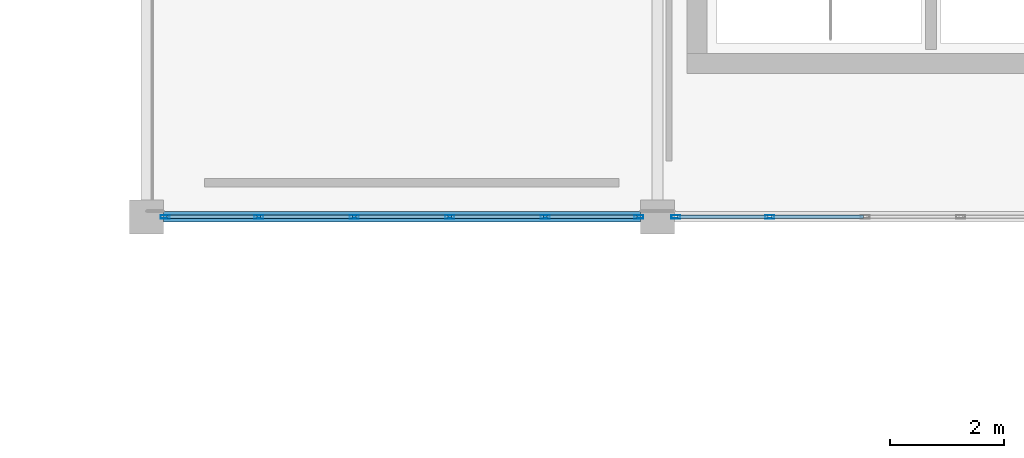
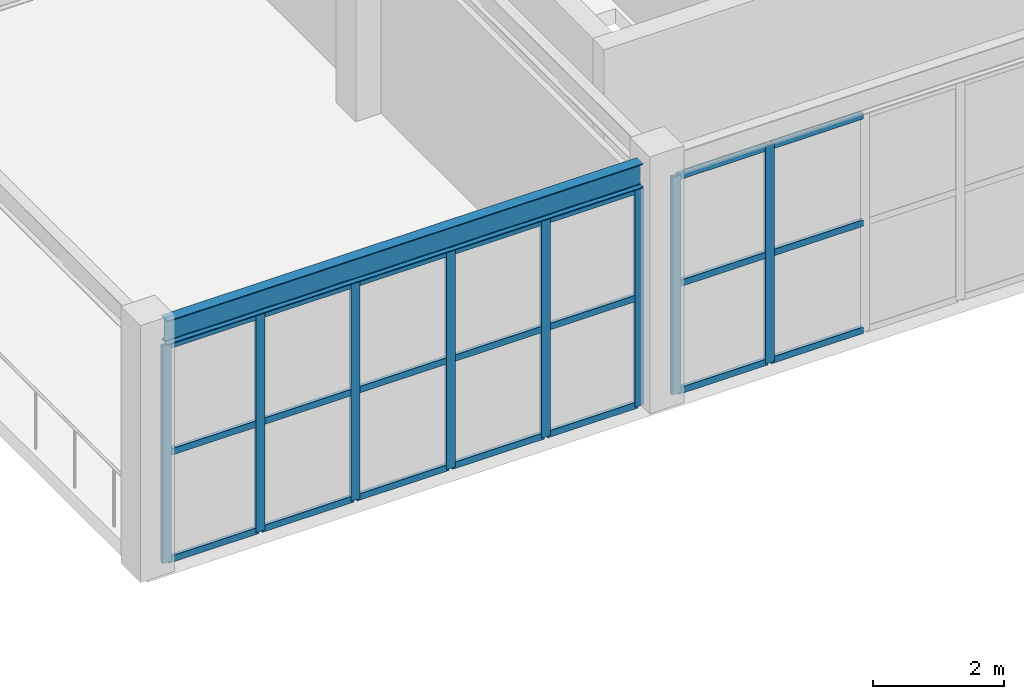
# One storey, part 96 of 167: 29 members, 1 beam, 2 elements without a shape of their own.
"""IFC4 building model written with IfcOpenShell, lengths in metres."""

from ifc_helpers import new_model, si_unit, direction, frame, origin, origin_2d, place, context, subcontext, project, spatial, hollow_rectangle, i_section, extrude, material, layer, layer_set, material_profile, profile_set, type_object, element, aggregate, save


model = new_model("IFC4")

# Units and contexts
model_context = context("Model", 3, precision=1e-05, world=origin(), true_north=direction((0.0, 1.0)))
body_context = subcontext(model_context, "Body", "Model", "MODEL_VIEW")
ifc_project = project(units=[si_unit("LENGTHUNIT", "METRE"), si_unit("AREAUNIT", "SQUARE_METRE"), si_unit("VOLUMEUNIT", "CUBIC_METRE"), si_unit("PLANEANGLEUNIT", "RADIAN"), si_unit("MASSUNIT", "GRAM", prefix="KILO")], contexts=[model_context])

# Site, building, storey
site_placement = place(None, origin())
site = spatial("IfcSite", under=ifc_project, at=site_placement, CompositionType="ELEMENT")
building_placement = place(site_placement, origin())
building = spatial("IfcBuilding", under=site, at=building_placement, Name="Dornveld Trade and Exhibition Forum", CompositionType="ELEMENT")
storey_placement = place(building_placement, frame((0.0, 0.0, 16.800048828125)))
storey = spatial("IfcBuildingStorey", under=building, at=storey_placement, Name="L03", CompositionType="ELEMENT", Elevation=16.800048828125)

# Beam
ifc_material_1 = material(Name="Steel S355J2", Category="steel")
ifc_material_profile_1 = material_profile(ifc_material_1, i_section(OverallWidth=0.18994140625, OverallDepth=0.449951171875, WebThickness=0.009521484375, FlangeThickness=0.0146484375, FilletRadius=0.02099609375, at=origin_2d()), Name="IPE 450")
ifc_profile_set_1 = profile_set([ifc_material_profile_1], Name="Steel S355J2")
beam_type = type_object("IfcBeamType", Name="BM-SEC-450", PredefinedType="BEAM", material=ifc_profile_set_1)
beam_placement = place(storey_placement, frame((171.2958984375, 108.0, 4.324951171875), z_axis=(1.0, 0.0, 0.0), x_axis=(0.0, 1.0, 0.0)))
element("IfcBeam", 1, at=beam_placement, inside=storey, type_object=beam_type, Name="L03 X-girder 1635", PredefinedType="BEAM", context=body_context, shape_type="SweptSolid", body=[
    extrude(i_section(OverallWidth=0.18994140625, OverallDepth=0.449951171875, WebThickness=0.009521484375, FlangeThickness=0.0146484375, FilletRadius=0.02099609375, at=origin_2d()), origin(), (0.0, 0.0, 1.0), 8.408203125),
])

# Curtain wall, members
ifc_material_2 = material(Name="Dark-bronze anodised aluminium and low-E glass", Category="aluminium")
ifc_layer_1 = layer(ifc_material_2, 0.175048828125)
ifc_layer_set_1 = layer_set([ifc_layer_1], Name="Dark-bronze anodised aluminium and low-E glass")
curtain_wall_type_1 = type_object("IfcCurtainWallType", Name="CW-SYS-11", PredefinedType="USERDEFINED", material=ifc_layer_set_1)
curtain_wall_1_placement = place(storey_placement, origin())
curtain_wall_1 = element("IfcCurtainWall", 2, at=curtain_wall_1_placement, inside=storey, type_object=curtain_wall_type_1, Name="L03 unitised curtain wall 119", ObjectType="UNITISED_CURTAIN_WALL", PredefinedType="USERDEFINED")
ifc_material_3 = material(Name="Dark-bronze anodised aluminium", Category="aluminium")
ifc_material_profile_2 = material_profile(ifc_material_3, hollow_rectangle(XDim=0.06005859375, YDim=0.159912109375, WallThickness=0.00390625, at=origin_2d()), Name="RHS 160x60x4")
ifc_profile_set_2 = profile_set([ifc_material_profile_2], Name="Dark-bronze anodised aluminium")
member_type_1 = type_object("IfcMemberType", Name="CW-MUL-160", PredefinedType="MULLION", material=ifc_profile_set_2)
member_1_placement = place(storey_placement, frame((171.325927734375, 108.0, -0.004150390625), z_axis=(0.0, 0.0, 1.0), x_axis=(0.0, 1.0, 0.0)))
member_1 = element("IfcMember", 3, at=member_1_placement, type_object=member_type_1, Name="CW-11 mullion 1", PredefinedType="MULLION", context=body_context, shape_type="SweptSolid", body=[
    extrude(hollow_rectangle(XDim=0.06005859375, YDim=0.159912109375, WallThickness=0.00390625, at=origin_2d()), origin(), (0.0, 0.0, 1.0), 4.064208984375),
])
member_2_placement = place(storey_placement, frame((172.9775390625, 108.0, -0.004150390625), z_axis=(0.0, 0.0, 1.0), x_axis=(0.0, 1.0, 0.0)))
member_2 = element("IfcMember", 4, at=member_2_placement, type_object=member_type_1, Name="CW-11 mullion 2", PredefinedType="MULLION", context=body_context, shape_type="SweptSolid", body=[
    extrude(hollow_rectangle(XDim=0.06005859375, YDim=0.159912109375, WallThickness=0.00390625, at=origin_2d()), origin(), (0.0, 0.0, 1.0), 4.064208984375),
])
member_3_placement = place(storey_placement, frame((174.6591796875, 108.0, -0.004150390625), z_axis=(0.0, 0.0, 1.0), x_axis=(0.0, 1.0, 0.0)))
member_3 = element("IfcMember", 5, at=member_3_placement, type_object=member_type_1, Name="CW-11 mullion 3", PredefinedType="MULLION", context=body_context, shape_type="SweptSolid", body=[
    extrude(hollow_rectangle(XDim=0.06005859375, YDim=0.159912109375, WallThickness=0.00390625, at=origin_2d()), origin(), (0.0, 0.0, 1.0), 4.064208984375),
])
member_4_placement = place(storey_placement, frame((176.3408203125, 108.0, -0.004150390625), z_axis=(0.0, 0.0, 1.0), x_axis=(0.0, 1.0, 0.0)))
member_4 = element("IfcMember", 6, at=member_4_placement, type_object=member_type_1, Name="CW-11 mullion 4", PredefinedType="MULLION", context=body_context, shape_type="SweptSolid", body=[
    extrude(hollow_rectangle(XDim=0.06005859375, YDim=0.159912109375, WallThickness=0.00390625, at=origin_2d()), origin(), (0.0, 0.0, 1.0), 4.064208984375),
])
member_5_placement = place(storey_placement, frame((178.0224609375, 108.0, -0.004150390625), z_axis=(0.0, 0.0, 1.0), x_axis=(0.0, 1.0, 0.0)))
member_5 = element("IfcMember", 7, at=member_5_placement, type_object=member_type_1, Name="CW-11 mullion 5", PredefinedType="MULLION", context=body_context, shape_type="SweptSolid", body=[
    extrude(hollow_rectangle(XDim=0.06005859375, YDim=0.159912109375, WallThickness=0.00390625, at=origin_2d()), origin(), (0.0, 0.0, 1.0), 4.064208984375),
])
member_6_placement = place(storey_placement, frame((179.674072265625, 108.0, -0.004150390625), z_axis=(0.0, 0.0, 1.0), x_axis=(0.0, 1.0, 0.0)))
member_6 = element("IfcMember", 8, at=member_6_placement, type_object=member_type_1, Name="CW-11 mullion 6", PredefinedType="MULLION", context=body_context, shape_type="SweptSolid", body=[
    extrude(hollow_rectangle(XDim=0.06005859375, YDim=0.159912109375, WallThickness=0.00390625, at=origin_2d()), origin(), (0.0, 0.0, 1.0), 4.064208984375),
])

ifc_material_4 = material(Name="Dark-bronze anodised aluminium and low-E glass", Category="aluminium")
ifc_layer_2 = layer(ifc_material_4, 0.177978515625)
ifc_layer_set_2 = layer_set([ifc_layer_2], Name="Dark-bronze anodised aluminium and low-E glass")
curtain_wall_type_2 = type_object("IfcCurtainWallType", Name="CW-SYS-12", PredefinedType="USERDEFINED", material=ifc_layer_set_2)
curtain_wall_2_placement = place(storey_placement, origin())
curtain_wall_2 = element("IfcCurtainWall", 9, at=curtain_wall_2_placement, inside=storey, type_object=curtain_wall_type_2, Name="L03 unitised curtain wall 120", ObjectType="UNITISED_CURTAIN_WALL", PredefinedType="USERDEFINED")
member_7_placement = place(storey_placement, frame((180.325927734375, 108.0, -0.004150390625), z_axis=(0.0, 0.0, 1.0), x_axis=(0.0, 1.0, 0.0)))
member_7 = element("IfcMember", 10, at=member_7_placement, type_object=member_type_1, Name="CW-12 mullion 1", PredefinedType="MULLION", context=body_context, shape_type="SweptSolid", body=[
    extrude(hollow_rectangle(XDim=0.06005859375, YDim=0.159912109375, WallThickness=0.00390625, at=origin_2d()), origin(), (0.0, 0.0, 1.0), 4.064208984375),
])
member_8_placement = place(storey_placement, frame((181.9775390625, 108.0, -0.004150390625), z_axis=(0.0, 0.0, 1.0), x_axis=(0.0, 1.0, 0.0)))
member_8 = element("IfcMember", 11, at=member_8_placement, type_object=member_type_1, Name="CW-12 mullion 2", PredefinedType="MULLION", context=body_context, shape_type="SweptSolid", body=[
    extrude(hollow_rectangle(XDim=0.06005859375, YDim=0.159912109375, WallThickness=0.00390625, at=origin_2d()), origin(), (0.0, 0.0, 1.0), 4.064208984375),
])

# Member
ifc_material_5 = material(Name="Dark-bronze anodised aluminium", Category="aluminium")
ifc_material_profile_3 = material_profile(ifc_material_5, hollow_rectangle(XDim=0.06005859375, YDim=0.1201171875, WallThickness=0.00390625, at=origin_2d()), Name="RHS 120x60x4")
ifc_profile_set_3 = profile_set([ifc_material_profile_3], Name="Dark-bronze anodised aluminium")
member_type_2 = type_object("IfcMemberType", Name="CW-TRN-120", PredefinedType="USERDEFINED", material=ifc_profile_set_3)
member_9_placement = place(storey_placement, frame((171.35595703125, 108.0, 0.02587890625), z_axis=(1.0, 0.0, 0.0), x_axis=(0.0, 1.0, 0.0)))
member_9 = element("IfcMember", 12, at=member_9_placement, type_object=member_type_2, Name="CW-11 transom 1.1", ObjectType="TRANSOM", PredefinedType="USERDEFINED", context=body_context, shape_type="SweptSolid", body=[
    extrude(hollow_rectangle(XDim=0.06005859375, YDim=0.1201171875, WallThickness=0.00390625, at=origin_2d()), origin(), (0.0, 0.0, 1.0), 1.591552734375),
])

member_10_placement = place(storey_placement, frame((171.35595703125, 108.0, 2.02783203125), z_axis=(1.0, 0.0, 0.0), x_axis=(0.0, 1.0, 0.0)))
member_10 = element("IfcMember", 13, at=member_10_placement, type_object=member_type_2, Name="CW-11 transom 1.2", ObjectType="TRANSOM", PredefinedType="USERDEFINED", context=body_context, shape_type="SweptSolid", body=[
    extrude(hollow_rectangle(XDim=0.06005859375, YDim=0.1201171875, WallThickness=0.00390625, at=origin_2d()), origin(), (0.0, 0.0, 1.0), 1.591552734375),
])

member_11_placement = place(storey_placement, frame((171.35595703125, 108.0, 4.030029296875), z_axis=(1.0, 0.0, 0.0), x_axis=(0.0, 1.0, 0.0)))
member_11 = element("IfcMember", 14, at=member_11_placement, type_object=member_type_2, Name="CW-11 transom 1.3", ObjectType="TRANSOM", PredefinedType="USERDEFINED", context=body_context, shape_type="SweptSolid", body=[
    extrude(hollow_rectangle(XDim=0.06005859375, YDim=0.1201171875, WallThickness=0.00390625, at=origin_2d()), origin(), (0.0, 0.0, 1.0), 1.591552734375),
])

member_12_placement = place(storey_placement, frame((173.007568359375, 108.0, 0.02587890625), z_axis=(1.0, 0.0, 0.0), x_axis=(0.0, 1.0, 0.0)))
member_12 = element("IfcMember", 15, at=member_12_placement, type_object=member_type_2, Name="CW-11 transom 2.1", ObjectType="TRANSOM", PredefinedType="USERDEFINED", context=body_context, shape_type="SweptSolid", body=[
    extrude(hollow_rectangle(XDim=0.06005859375, YDim=0.1201171875, WallThickness=0.00390625, at=origin_2d()), origin(), (0.0, 0.0, 1.0), 1.62158203125),
])

member_13_placement = place(storey_placement, frame((173.007568359375, 108.0, 2.02783203125), z_axis=(1.0, 0.0, 0.0), x_axis=(0.0, 1.0, 0.0)))
member_13 = element("IfcMember", 16, at=member_13_placement, type_object=member_type_2, Name="CW-11 transom 2.2", ObjectType="TRANSOM", PredefinedType="USERDEFINED", context=body_context, shape_type="SweptSolid", body=[
    extrude(hollow_rectangle(XDim=0.06005859375, YDim=0.1201171875, WallThickness=0.00390625, at=origin_2d()), origin(), (0.0, 0.0, 1.0), 1.62158203125),
])

member_14_placement = place(storey_placement, frame((173.007568359375, 108.0, 4.030029296875), z_axis=(1.0, 0.0, 0.0), x_axis=(0.0, 1.0, 0.0)))
member_14 = element("IfcMember", 17, at=member_14_placement, type_object=member_type_2, Name="CW-11 transom 2.3", ObjectType="TRANSOM", PredefinedType="USERDEFINED", context=body_context, shape_type="SweptSolid", body=[
    extrude(hollow_rectangle(XDim=0.06005859375, YDim=0.1201171875, WallThickness=0.00390625, at=origin_2d()), origin(), (0.0, 0.0, 1.0), 1.62158203125),
])

member_15_placement = place(storey_placement, frame((174.689208984375, 108.0, 0.02587890625), z_axis=(1.0, 0.0, 0.0), x_axis=(0.0, 1.0, 0.0)))
member_15 = element("IfcMember", 18, at=member_15_placement, type_object=member_type_2, Name="CW-11 transom 3.1", ObjectType="TRANSOM", PredefinedType="USERDEFINED", context=body_context, shape_type="SweptSolid", body=[
    extrude(hollow_rectangle(XDim=0.06005859375, YDim=0.1201171875, WallThickness=0.00390625, at=origin_2d()), origin(), (0.0, 0.0, 1.0), 1.62158203125),
])

member_16_placement = place(storey_placement, frame((174.689208984375, 108.0, 2.02783203125), z_axis=(1.0, 0.0, 0.0), x_axis=(0.0, 1.0, 0.0)))
member_16 = element("IfcMember", 19, at=member_16_placement, type_object=member_type_2, Name="CW-11 transom 3.2", ObjectType="TRANSOM", PredefinedType="USERDEFINED", context=body_context, shape_type="SweptSolid", body=[
    extrude(hollow_rectangle(XDim=0.06005859375, YDim=0.1201171875, WallThickness=0.00390625, at=origin_2d()), origin(), (0.0, 0.0, 1.0), 1.62158203125),
])

member_17_placement = place(storey_placement, frame((174.689208984375, 108.0, 4.030029296875), z_axis=(1.0, 0.0, 0.0), x_axis=(0.0, 1.0, 0.0)))
member_17 = element("IfcMember", 20, at=member_17_placement, type_object=member_type_2, Name="CW-11 transom 3.3", ObjectType="TRANSOM", PredefinedType="USERDEFINED", context=body_context, shape_type="SweptSolid", body=[
    extrude(hollow_rectangle(XDim=0.06005859375, YDim=0.1201171875, WallThickness=0.00390625, at=origin_2d()), origin(), (0.0, 0.0, 1.0), 1.62158203125),
])

member_18_placement = place(storey_placement, frame((176.370849609375, 108.0, 0.02587890625), z_axis=(1.0, 0.0, 0.0), x_axis=(0.0, 1.0, 0.0)))
member_18 = element("IfcMember", 21, at=member_18_placement, type_object=member_type_2, Name="CW-11 transom 4.1", ObjectType="TRANSOM", PredefinedType="USERDEFINED", context=body_context, shape_type="SweptSolid", body=[
    extrude(hollow_rectangle(XDim=0.06005859375, YDim=0.1201171875, WallThickness=0.00390625, at=origin_2d()), origin(), (0.0, 0.0, 1.0), 1.62158203125),
])

member_19_placement = place(storey_placement, frame((176.370849609375, 108.0, 2.02783203125), z_axis=(1.0, 0.0, 0.0), x_axis=(0.0, 1.0, 0.0)))
member_19 = element("IfcMember", 22, at=member_19_placement, type_object=member_type_2, Name="CW-11 transom 4.2", ObjectType="TRANSOM", PredefinedType="USERDEFINED", context=body_context, shape_type="SweptSolid", body=[
    extrude(hollow_rectangle(XDim=0.06005859375, YDim=0.1201171875, WallThickness=0.00390625, at=origin_2d()), origin(), (0.0, 0.0, 1.0), 1.62158203125),
])

member_20_placement = place(storey_placement, frame((176.370849609375, 108.0, 4.030029296875), z_axis=(1.0, 0.0, 0.0), x_axis=(0.0, 1.0, 0.0)))
member_20 = element("IfcMember", 23, at=member_20_placement, type_object=member_type_2, Name="CW-11 transom 4.3", ObjectType="TRANSOM", PredefinedType="USERDEFINED", context=body_context, shape_type="SweptSolid", body=[
    extrude(hollow_rectangle(XDim=0.06005859375, YDim=0.1201171875, WallThickness=0.00390625, at=origin_2d()), origin(), (0.0, 0.0, 1.0), 1.62158203125),
])

member_21_placement = place(storey_placement, frame((178.052490234375, 108.0, 0.02587890625), z_axis=(1.0, 0.0, 0.0), x_axis=(0.0, 1.0, 0.0)))
member_21 = element("IfcMember", 24, at=member_21_placement, type_object=member_type_2, Name="CW-11 transom 5.1", ObjectType="TRANSOM", PredefinedType="USERDEFINED", context=body_context, shape_type="SweptSolid", body=[
    extrude(hollow_rectangle(XDim=0.06005859375, YDim=0.1201171875, WallThickness=0.00390625, at=origin_2d()), origin(), (0.0, 0.0, 1.0), 1.591552734375),
])

member_22_placement = place(storey_placement, frame((178.052490234375, 108.0, 2.02783203125), z_axis=(1.0, 0.0, 0.0), x_axis=(0.0, 1.0, 0.0)))
member_22 = element("IfcMember", 25, at=member_22_placement, type_object=member_type_2, Name="CW-11 transom 5.2", ObjectType="TRANSOM", PredefinedType="USERDEFINED", context=body_context, shape_type="SweptSolid", body=[
    extrude(hollow_rectangle(XDim=0.06005859375, YDim=0.1201171875, WallThickness=0.00390625, at=origin_2d()), origin(), (0.0, 0.0, 1.0), 1.591552734375),
])

member_23_placement = place(storey_placement, frame((178.052490234375, 108.0, 4.030029296875), z_axis=(1.0, 0.0, 0.0), x_axis=(0.0, 1.0, 0.0)))
member_23 = element("IfcMember", 26, at=member_23_placement, type_object=member_type_2, Name="CW-11 transom 5.3", ObjectType="TRANSOM", PredefinedType="USERDEFINED", context=body_context, shape_type="SweptSolid", body=[
    extrude(hollow_rectangle(XDim=0.06005859375, YDim=0.1201171875, WallThickness=0.00390625, at=origin_2d()), origin(), (0.0, 0.0, 1.0), 1.591552734375),
])

aggregate(curtain_wall_1, [member_1, member_2, member_3, member_4, member_5, member_6, member_9, member_10, member_11, member_12, member_13, member_14, member_15, member_16, member_17, member_18, member_19, member_20, member_21, member_22, member_23])

member_24_placement = place(storey_placement, frame((180.35595703125, 108.0, 0.02587890625), z_axis=(1.0, 0.0, 0.0), x_axis=(0.0, 1.0, 0.0)))
member_24 = element("IfcMember", 27, at=member_24_placement, type_object=member_type_2, Name="CW-12 transom 1.1", ObjectType="TRANSOM", PredefinedType="USERDEFINED", context=body_context, shape_type="SweptSolid", body=[
    extrude(hollow_rectangle(XDim=0.06005859375, YDim=0.1201171875, WallThickness=0.00390625, at=origin_2d()), origin(), (0.0, 0.0, 1.0), 1.591552734375),
])

member_25_placement = place(storey_placement, frame((180.35595703125, 108.0, 2.02783203125), z_axis=(1.0, 0.0, 0.0), x_axis=(0.0, 1.0, 0.0)))
member_25 = element("IfcMember", 28, at=member_25_placement, type_object=member_type_2, Name="CW-12 transom 1.2", ObjectType="TRANSOM", PredefinedType="USERDEFINED", context=body_context, shape_type="SweptSolid", body=[
    extrude(hollow_rectangle(XDim=0.06005859375, YDim=0.1201171875, WallThickness=0.00390625, at=origin_2d()), origin(), (0.0, 0.0, 1.0), 1.591552734375),
])

member_26_placement = place(storey_placement, frame((180.35595703125, 108.0, 4.030029296875), z_axis=(1.0, 0.0, 0.0), x_axis=(0.0, 1.0, 0.0)))
member_26 = element("IfcMember", 29, at=member_26_placement, type_object=member_type_2, Name="CW-12 transom 1.3", ObjectType="TRANSOM", PredefinedType="USERDEFINED", context=body_context, shape_type="SweptSolid", body=[
    extrude(hollow_rectangle(XDim=0.06005859375, YDim=0.1201171875, WallThickness=0.00390625, at=origin_2d()), origin(), (0.0, 0.0, 1.0), 1.591552734375),
])

member_27_placement = place(storey_placement, frame((182.007568359375, 108.0, 0.02587890625), z_axis=(1.0, 0.0, 0.0), x_axis=(0.0, 1.0, 0.0)))
member_27 = element("IfcMember", 30, at=member_27_placement, type_object=member_type_2, Name="CW-12 transom 2.1", ObjectType="TRANSOM", PredefinedType="USERDEFINED", context=body_context, shape_type="SweptSolid", body=[
    extrude(hollow_rectangle(XDim=0.06005859375, YDim=0.1201171875, WallThickness=0.00390625, at=origin_2d()), origin(), (0.0, 0.0, 1.0), 1.62158203125),
])

member_28_placement = place(storey_placement, frame((182.007568359375, 108.0, 2.02783203125), z_axis=(1.0, 0.0, 0.0), x_axis=(0.0, 1.0, 0.0)))
member_28 = element("IfcMember", 31, at=member_28_placement, type_object=member_type_2, Name="CW-12 transom 2.2", ObjectType="TRANSOM", PredefinedType="USERDEFINED", context=body_context, shape_type="SweptSolid", body=[
    extrude(hollow_rectangle(XDim=0.06005859375, YDim=0.1201171875, WallThickness=0.00390625, at=origin_2d()), origin(), (0.0, 0.0, 1.0), 1.62158203125),
])

member_29_placement = place(storey_placement, frame((182.007568359375, 108.0, 4.030029296875), z_axis=(1.0, 0.0, 0.0), x_axis=(0.0, 1.0, 0.0)))
member_29 = element("IfcMember", 32, at=member_29_placement, type_object=member_type_2, Name="CW-12 transom 2.3", ObjectType="TRANSOM", PredefinedType="USERDEFINED", context=body_context, shape_type="SweptSolid", body=[
    extrude(hollow_rectangle(XDim=0.06005859375, YDim=0.1201171875, WallThickness=0.00390625, at=origin_2d()), origin(), (0.0, 0.0, 1.0), 1.62158203125),
])

aggregate(curtain_wall_2, [member_7, member_8, member_24, member_25, member_26, member_27, member_28, member_29])

save(model, "model.ifc")
